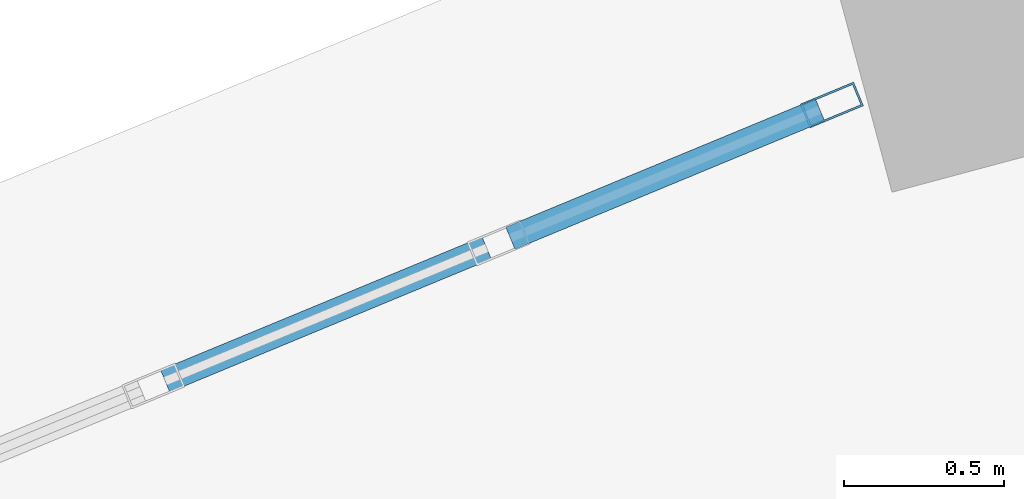
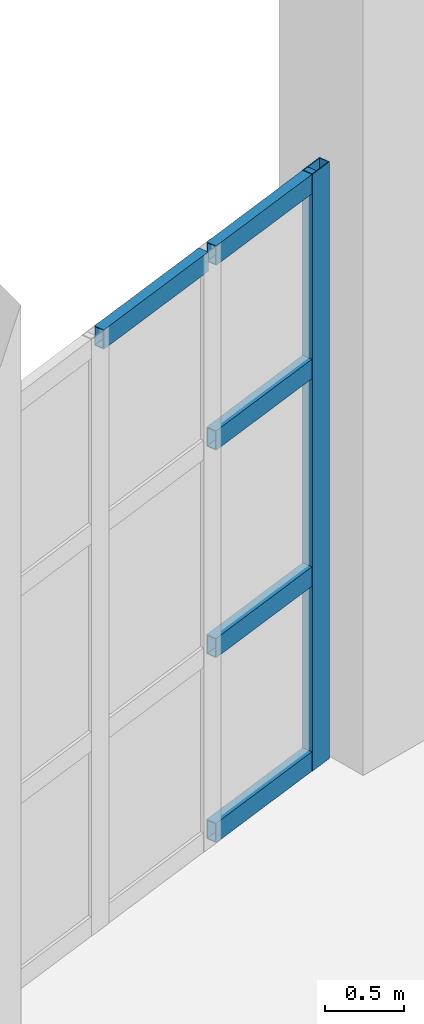
# One storey, part 30 of 59: 6 members, 1 element without a shape of its own.
"""IFC4 building model written with IfcOpenShell, lengths in metres."""

from ifc_helpers import new_model, si_unit, direction, frame, origin, origin_2d, place, context, subcontext, project, spatial, hollow_rectangle, extrude, material, layer, layer_set, material_profile, profile_set, type_object, element, aggregate, save


model = new_model("IFC4")

# Units and contexts
model_context = context("Model", 3, precision=1e-05, world=origin(), true_north=direction((0.0, 1.0)))
body_context = subcontext(model_context, "Body", "Model", "MODEL_VIEW")
ifc_project = project(units=[si_unit("LENGTHUNIT", "METRE"), si_unit("AREAUNIT", "SQUARE_METRE"), si_unit("VOLUMEUNIT", "CUBIC_METRE"), si_unit("PLANEANGLEUNIT", "RADIAN"), si_unit("MASSUNIT", "GRAM", prefix="KILO")], contexts=[model_context])

# Site, building, storey
site_placement = place(None, origin())
site = spatial("IfcSite", under=ifc_project, at=site_placement, CompositionType="ELEMENT")
building_placement = place(site_placement, origin())
building = spatial("IfcBuilding", under=site, at=building_placement, Name="Kandorven Conservatory and Botanical Research Centre", CompositionType="ELEMENT")
storey_placement = place(building_placement, frame((0.0, 0.0, 4.800048828125)))
storey = spatial("IfcBuildingStorey", under=building, at=storey_placement, Name="L01", CompositionType="ELEMENT", Elevation=4.800048828125)

# Curtain wall, members
ifc_material_1 = material(Name="Bronze anodised thermally broken aluminium", Category="aluminium")
ifc_layer = layer(ifc_material_1, 0.179931640625)
ifc_layer_set = layer_set([ifc_layer], Name="Bronze anodised thermally broken aluminium")
curtain_wall_type = type_object("IfcCurtainWallType", Name="CW_Clerestory", PredefinedType="USERDEFINED", material=ifc_layer_set)
curtain_wall_placement = place(storey_placement, origin())
curtain_wall = element("IfcCurtainWall", 1, at=curtain_wall_placement, inside=storey, type_object=curtain_wall_type, Name="Conservatory drum clerestory glazing CW-DRUM-L01-08", ObjectType="CLERESTORY GLAZING", PredefinedType="USERDEFINED")
ifc_material_2 = material(Name="Bronze anodised thermally broken aluminium", Category="aluminium")
ifc_material_profile_1 = material_profile(ifc_material_2, hollow_rectangle(XDim=0.080078125, YDim=0.179931640625, WallThickness=0.006103515625, at=origin_2d()))
ifc_profile_set_1 = profile_set([ifc_material_profile_1], Name="Bronze anodised thermally broken aluminium")
member_type_1 = type_object("IfcMemberType", Name="CW_Mullion", PredefinedType="MULLION", material=ifc_profile_set_1)
member_1_placement = place(storey_placement, frame((82.792724609375, 63.8642578125, 0.0), z_axis=(0.0, 0.0, 1.0), x_axis=(0.382668753353, -0.92388561262, 0.0)))
member_1 = element("IfcMember", 2, at=member_1_placement, type_object=member_type_1, Name="CW-02 mullion 1", PredefinedType="MULLION", context=body_context, shape_type="SweptSolid", body=[
    extrude(hollow_rectangle(XDim=0.080078125, YDim=0.179931640625, WallThickness=0.006103515625, at=origin_2d()), origin(), (0.0, 0.0, 1.0), 4.599853515625),
])
ifc_material_3 = material(Name="Bronze anodised thermally broken aluminium", Category="aluminium")
ifc_material_profile_2 = material_profile(ifc_material_3, hollow_rectangle(XDim=0.074951171875, YDim=0.14990234375, WallThickness=0.006103515625, at=origin_2d()))
ifc_profile_set_2 = profile_set([ifc_material_profile_2], Name="Bronze anodised thermally broken aluminium")
member_type_2 = type_object("IfcMemberType", Name="CW_Transom", PredefinedType="USERDEFINED", material=ifc_profile_set_2)
member_2_placement = place(storey_placement, frame((82.755859375, 63.848876953125, 0.074951171875), z_axis=(-0.923842970528, -0.382771688877, 0.0), x_axis=(0.382771688877, -0.923842970528, 0.0)))
member_2 = element("IfcMember", 3, at=member_2_placement, type_object=member_type_2, Name="CW-02 transom 1.1", ObjectType="TRANSOM", PredefinedType="USERDEFINED", context=body_context, shape_type="SweptSolid", body=[
    extrude(hollow_rectangle(XDim=0.074951171875, YDim=0.14990234375, WallThickness=0.006103515625, at=origin_2d()), origin(), (0.0, 0.0, 1.0), 1.044189453125),
])
member_3_placement = place(storey_placement, frame((82.755859375, 63.848876953125, 1.5), z_axis=(-0.923842970528, -0.382771688877, 0.0), x_axis=(0.382771688877, -0.923842970528, 0.0)))
member_3 = element("IfcMember", 4, at=member_3_placement, type_object=member_type_2, Name="CW-02 transom 1.2", ObjectType="TRANSOM", PredefinedType="USERDEFINED", context=body_context, shape_type="SweptSolid", body=[
    extrude(hollow_rectangle(XDim=0.074951171875, YDim=0.14990234375, WallThickness=0.006103515625, at=origin_2d()), origin(), (0.0, 0.0, 1.0), 1.044189453125),
])
member_4_placement = place(storey_placement, frame((82.755859375, 63.848876953125, 3.099853515625), z_axis=(-0.923842970528, -0.382771688877, 0.0), x_axis=(0.382771688877, -0.923842970528, 0.0)))
member_4 = element("IfcMember", 5, at=member_4_placement, type_object=member_type_2, Name="CW-02 transom 1.3", ObjectType="TRANSOM", PredefinedType="USERDEFINED", context=body_context, shape_type="SweptSolid", body=[
    extrude(hollow_rectangle(XDim=0.074951171875, YDim=0.14990234375, WallThickness=0.006103515625, at=origin_2d()), origin(), (0.0, 0.0, 1.0), 1.044189453125),
])
member_5_placement = place(storey_placement, frame((82.755859375, 63.848876953125, 4.52490234375), z_axis=(-0.923842970528, -0.382771688877, 0.0), x_axis=(0.382771688877, -0.923842970528, 0.0)))
member_5 = element("IfcMember", 6, at=member_5_placement, type_object=member_type_2, Name="CW-02 transom 1.4", ObjectType="TRANSOM", PredefinedType="USERDEFINED", context=body_context, shape_type="SweptSolid", body=[
    extrude(hollow_rectangle(XDim=0.074951171875, YDim=0.14990234375, WallThickness=0.006103515625, at=origin_2d()), origin(), (0.0, 0.0, 1.0), 1.044189453125),
])
member_6_placement = place(storey_placement, frame((81.71728515625, 63.418701171875, 4.52490234375), z_axis=(-0.923920786696, -0.382583820765, 0.0), x_axis=(0.382583820765, -0.923920786696, 0.0)))
member_6 = element("IfcMember", 7, at=member_6_placement, type_object=member_type_2, Name="CW-02 transom 2.4", ObjectType="TRANSOM", PredefinedType="USERDEFINED", context=body_context, shape_type="SweptSolid", body=[
    extrude(hollow_rectangle(XDim=0.074951171875, YDim=0.14990234375, WallThickness=0.006103515625, at=origin_2d()), origin(), (0.0, 0.0, 1.0), 1.084228515625),
])
aggregate(curtain_wall, [member_1, member_2, member_3, member_4, member_5, member_6])

save(model, "model.ifc")
